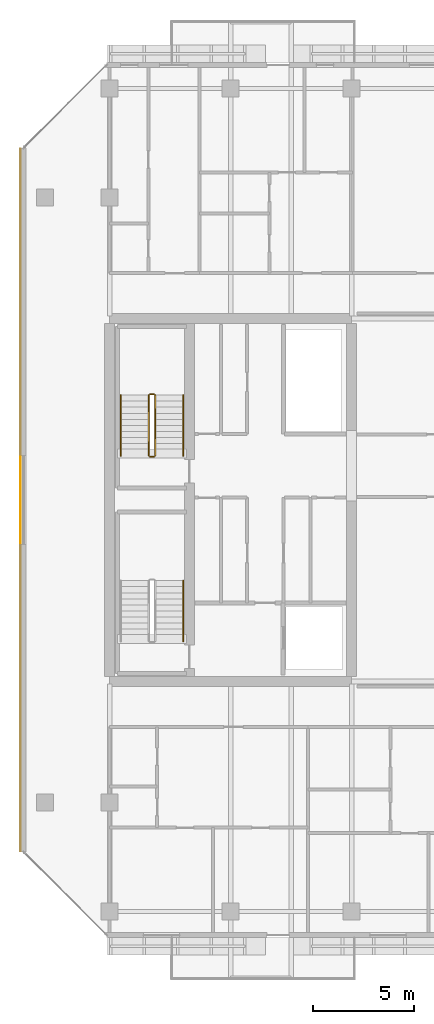
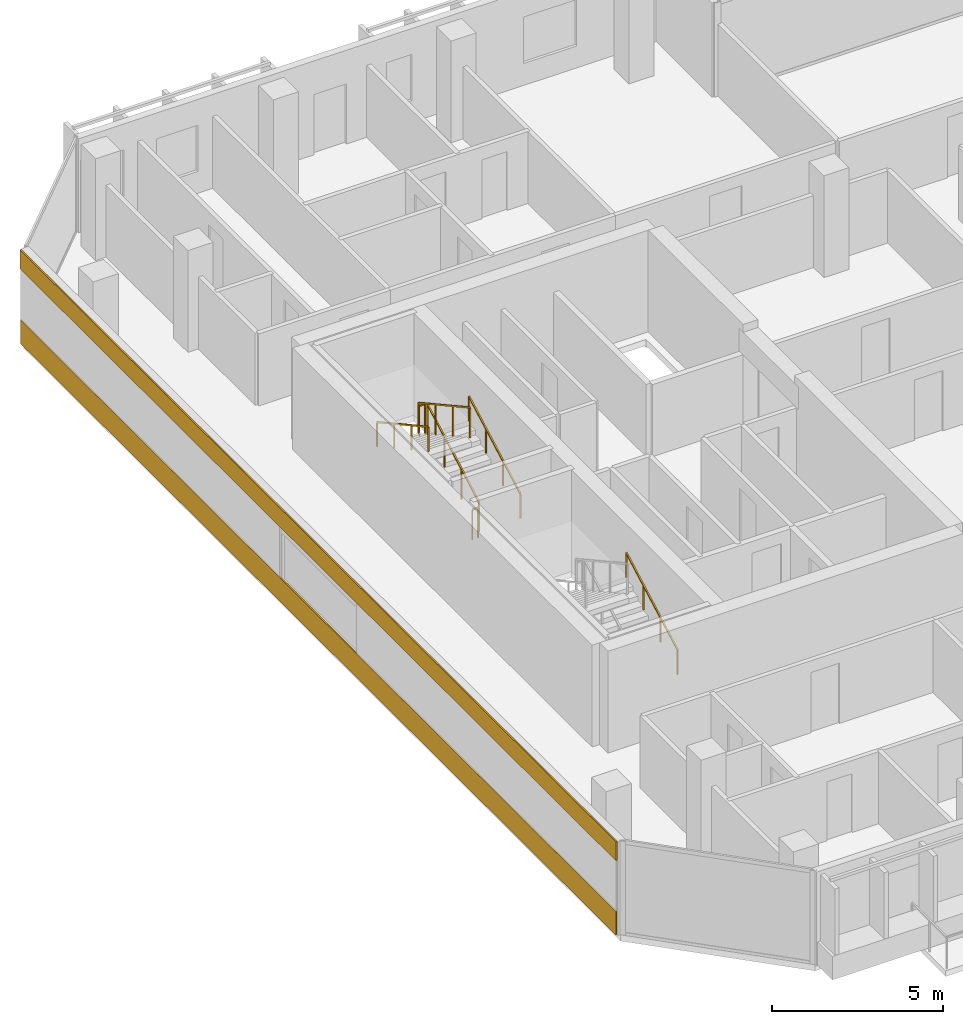
# One storey, part 28 of 31: 7 railings, 2 coverings.
"""IFC4 building model written with IfcOpenShell, lengths in metres."""

from ifc_helpers import new_model, si_unit, direction, frame, origin, origin_2d, place, context, subcontext, project, spatial, rectangle, extrude, material, layer, layer_set, type_object, element, save


model = new_model("IFC4")

# Units and contexts
model_context = context("Model", 3, precision=1e-05, world=origin(), true_north=direction((0.0, 1.0)))
body_context = subcontext(model_context, "Body", "Model", "MODEL_VIEW")
ifc_project = project(units=[si_unit("LENGTHUNIT", "METRE"), si_unit("AREAUNIT", "SQUARE_METRE"), si_unit("VOLUMEUNIT", "CUBIC_METRE"), si_unit("PLANEANGLEUNIT", "RADIAN"), si_unit("MASSUNIT", "GRAM", prefix="KILO")], contexts=[model_context])

# Site, building, storey
site_placement = place(None, origin())
site = spatial("IfcSite", under=ifc_project, at=site_placement, CompositionType="ELEMENT")
building_placement = place(site_placement, origin())
building = spatial("IfcBuilding", under=site, at=building_placement, Name="Tanjung Sevakor Pilgrim Tower", CompositionType="ELEMENT")
storey_placement = place(building_placement, frame((0.0, 0.0, 169.2900390625)))
storey = spatial("IfcBuildingStorey", under=building, at=storey_placement, Name="L47", CompositionType="ELEMENT", Elevation=169.2900390625)

# Coverings
ifc_material_1 = material(Name="Reconstructed Limestone Cladding", Category="masonry")
ifc_layer = layer(ifc_material_1, 0.044921875)
ifc_layer_set = layer_set([ifc_layer], Name="COV-CLAD-LIMESTONE")
covering_type = type_object("IfcCoveringType", Name="COV-CLAD-LIMESTONE", PredefinedType="CLADDING", material=ifc_layer_set)
covering_1_placement = place(storey_placement, frame((19.577392578125, 33.60009765625, 0.009765625), z_axis=(0.0, 0.0, 1.0), x_axis=(0.0, -1.0, 0.0)))
element("IfcCovering", 1, at=covering_1_placement, inside=storey, type_object=covering_type, Name="L47 Warm Limestone Sill Spandrel EW-L47-MAIN-15-1", PredefinedType="CLADDING", context=body_context, shape_type="SweptSolid", body=[
    extrude(rectangle(XDim=34.81640625, YDim=0.044921875, at=origin_2d()), origin(), (0.0, 0.0, 1.0), 0.840087890625),
])
covering_2_placement = place(storey_placement, frame((19.577392578125, 33.60009765625, 2.66015625), z_axis=(0.0, 0.0, 1.0), x_axis=(0.0, -1.0, 0.0)))
element("IfcCovering", 2, at=covering_2_placement, inside=storey, type_object=covering_type, Name="L47 Warm Limestone Cornice Spandrel EW-L47-MAIN-15", PredefinedType="CLADDING", context=body_context, shape_type="SweptSolid", body=[
    extrude(rectangle(XDim=34.8564453125, YDim=0.044921875, at=origin_2d()), origin(), (0.0, 0.0, 1.0), 0.679931640625),
])

# Railings
ifc_material_2 = material(Name="Steel S355J2", Category="steel")
railing_type_1 = type_object("IfcRailingType", Name="RL-STAIR-GUARD", PredefinedType="GUARDRAIL", material=ifc_material_2)
railing_1_placement = place(storey_placement, frame((26.25, 35.800048828125, 0.1650390625)))
element("IfcRailing", 3, at=railing_1_placement, inside=storey, type_object=railing_type_1, Name="L47 TS-W2 stair guard 1", PredefinedType="GUARDRAIL", context=body_context, shape_type="SweptSolid", body=[
    extrude(rectangle(XDim=0.0479, YDim=0.0479), frame((0.0, 0.0, 1.076171875), z_axis=(0.0, 0.876227952683, 0.48189685093), x_axis=(-1.0, 0.0, 0.0)), (0.0, 0.0, 1.0), 3.423828125),
    extrude(rectangle(XDim=0.042, YDim=0.042), origin(), (0.0, 0.0, 1.0), 1.052001953125),
    extrude(rectangle(XDim=0.042, YDim=0.042), frame((0.0, 1.0, 0.550048828125)), (0.0, 0.0, 1.0), 1.052001953125),
    extrude(rectangle(XDim=0.042, YDim=0.042), frame((0.0, 2.0, 1.099853515625)), (0.0, 0.0, 1.0), 1.052001953125),
    extrude(rectangle(XDim=0.042, YDim=0.042), frame((0.0, 3.0, 1.64990234375)), (0.0, 0.0, 1.0), 1.052001953125),
])
railing_2_placement = place(storey_placement, frame((26.199951171875, 38.85009765625, 1.81494140625)))
element("IfcRailing", 4, at=railing_2_placement, inside=storey, type_object=railing_type_1, Name="L47 TS-W2 stair guard 2", PredefinedType="GUARDRAIL", context=body_context, shape_type="SweptSolid", body=[
    extrude(rectangle(XDim=0.0479, YDim=0.0479), frame((0.0, 0.0, 1.076171875), z_axis=(-1.0, 0.0, 0.0), x_axis=(0.0, -1.0, 0.0)), (0.0, 0.0, 1.0), 0.199951171875),
    extrude(rectangle(XDim=0.042, YDim=0.042), origin(), (0.0, 0.0, 1.0), 1.052001953125),
    extrude(rectangle(XDim=0.042, YDim=0.042), frame((-0.199951171875, 0.0, 0.0)), (0.0, 0.0, 1.0), 1.052001953125),
])
railing_3_placement = place(storey_placement, frame((25.949951171875, 38.800048828125, 1.97998046875)))
element("IfcRailing", 5, at=railing_3_placement, inside=storey, type_object=railing_type_1, Name="L47 TS-W2 stair guard 3", PredefinedType="GUARDRAIL", context=body_context, shape_type="SweptSolid", body=[
    extrude(rectangle(XDim=0.0479, YDim=0.0479), frame((0.0, 0.0, 1.076171875), z_axis=(0.0, -0.876227952683, 0.48189685093), x_axis=(1.0, 0.0, 0.0)), (0.0, 0.0, 1.0), 3.423828125),
    extrude(rectangle(XDim=0.042, YDim=0.042), origin(), (0.0, 0.0, 1.0), 1.052001953125),
    extrude(rectangle(XDim=0.042, YDim=0.042), frame((0.0, -1.0, 0.550048828125)), (0.0, 0.0, 1.0), 1.052001953125),
    extrude(rectangle(XDim=0.042, YDim=0.042), frame((0.0, -2.0, 1.099853515625)), (0.0, 0.0, 1.0), 1.052001953125),
    extrude(rectangle(XDim=0.042, YDim=0.042), frame((0.0, -3.0, 1.64990234375)), (0.0, 0.0, 1.0), 1.052001953125),
])
railing_4_placement = place(storey_placement, frame((26.199951171875, 35.75, 0.0)))
element("IfcRailing", 6, at=railing_4_placement, inside=storey, type_object=railing_type_1, Name="L47 TS-W2 stair guard 4", PredefinedType="GUARDRAIL", context=body_context, shape_type="SweptSolid", body=[
    extrude(rectangle(XDim=0.0479, YDim=0.0479), frame((0.0, 0.0, 1.076171875), z_axis=(-1.0, 0.0, 0.0), x_axis=(0.0, -1.0, 0.0)), (0.0, 0.0, 1.0), 0.199951171875),
    extrude(rectangle(XDim=0.042, YDim=0.042), origin(), (0.0, 0.0, 1.0), 1.052001953125),
    extrude(rectangle(XDim=0.042, YDim=0.042), frame((-0.199951171875, 0.0, 0.0)), (0.0, 0.0, 1.0), 1.052001953125),
])
ifc_material_3 = material(Name="Steel S355J2", Category="steel")
railing_type_2 = type_object("IfcRailingType", Name="RL-STAIR-HAND", PredefinedType="HANDRAIL", material=ifc_material_3)
for number, where, name in (
    (7, (27.64990234375, 26.60009765625, 0.1650390625), "L47 TS-W1 stair handrail 1"),
    (8, (27.64990234375, 35.800048828125, 0.1650390625), "L47 TS-W2 stair handrail 1"),
):
    element("IfcRailing", number, at=place(storey_placement, frame(where)), inside=storey, type_object=railing_type_2, Name=name, PredefinedType="HANDRAIL", context=body_context, shape_type="SweptSolid", body=[
        extrude(rectangle(XDim=0.0479, YDim=0.0479), frame((0.0, 0.0, 0.8759765625), z_axis=(0.0, 0.876227952683, 0.48189685093), x_axis=(-1.0, 0.0, 0.0)), (0.0, 0.0, 1.0), 3.423828125),
        extrude(rectangle(XDim=0.042, YDim=0.042), origin(), (0.0, 0.0, 1.0), 0.851806640625),
        extrude(rectangle(XDim=0.042, YDim=0.042), frame((0.0, 1.0, 0.550048828125)), (0.0, 0.0, 1.0), 0.851806640625),
        extrude(rectangle(XDim=0.042, YDim=0.042), frame((0.0, 2.0, 1.099853515625)), (0.0, 0.0, 1.0), 0.851806640625),
        extrude(rectangle(XDim=0.042, YDim=0.042), frame((0.0, 3.0, 1.64990234375)), (0.0, 0.0, 1.0), 0.851806640625),
    ])
railing_5_placement = place(storey_placement, frame((24.550048828125, 38.800048828125, 1.97998046875)))
element("IfcRailing", 9, at=railing_5_placement, inside=storey, type_object=railing_type_2, Name="L47 TS-W2 stair handrail 2", PredefinedType="HANDRAIL", context=body_context, shape_type="SweptSolid", body=[
    extrude(rectangle(XDim=0.0479, YDim=0.0479), frame((0.0, 0.0, 0.8759765625), z_axis=(0.0, -0.876227952683, 0.48189685093), x_axis=(1.0, 0.0, 0.0)), (0.0, 0.0, 1.0), 3.423828125),
    extrude(rectangle(XDim=0.042, YDim=0.042), origin(), (0.0, 0.0, 1.0), 0.851806640625),
    extrude(rectangle(XDim=0.042, YDim=0.042), frame((0.0, -1.0, 0.550048828125)), (0.0, 0.0, 1.0), 0.851806640625),
    extrude(rectangle(XDim=0.042, YDim=0.042), frame((0.0, -2.0, 1.099853515625)), (0.0, 0.0, 1.0), 0.851806640625),
    extrude(rectangle(XDim=0.042, YDim=0.042), frame((0.0, -3.0, 1.64990234375)), (0.0, 0.0, 1.0), 0.851806640625),
])

save(model, "model.ifc")
